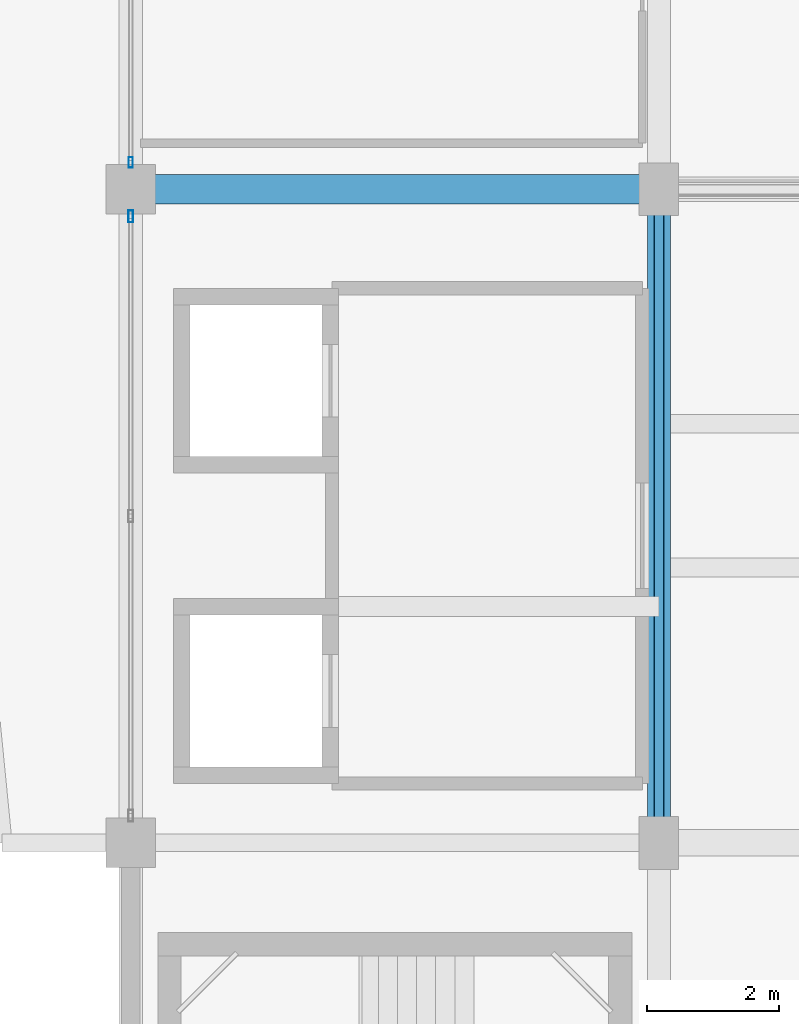
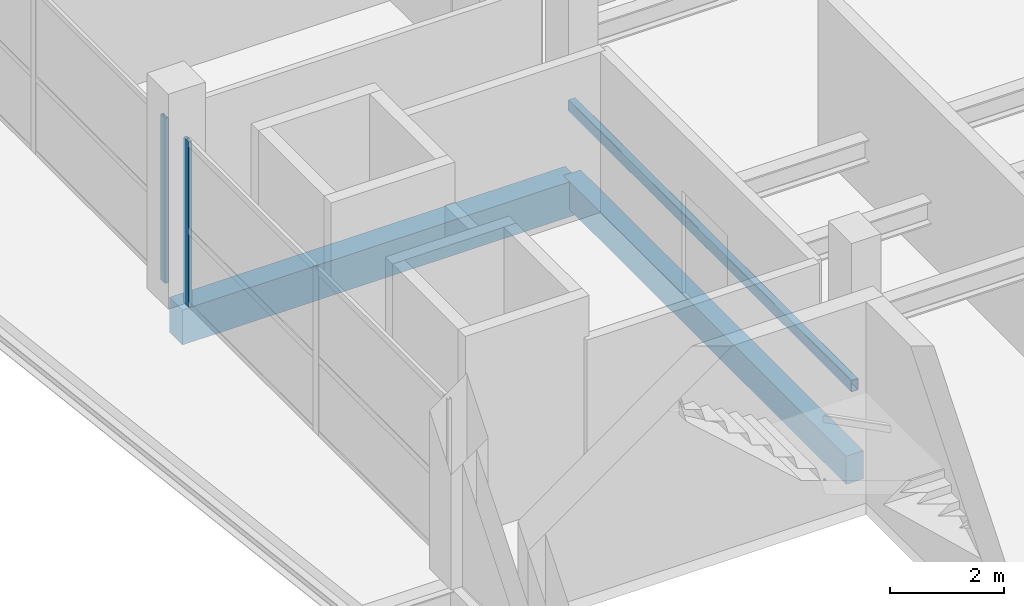
# One storey, part 10 of 55: 3 beams, 2 members, 2 elements without a shape of their own.
"""IFC4 building model written with IfcOpenShell, lengths in metres."""

import ifcopenshell
import ifcopenshell.guid

model = None  # the IFC model being written
_history = None  # IfcOwnerHistory: only IFC2X3 demands one
_inside = {}  # id of a spatial element -> (the spatial element, [elements in it])
_under = {}  # id of a project, library or spatial element -> (it, [spatial elements below it])
_declared = {}  # id of a project -> (the project, [libraries it declares])
_typed = {}  # id of a type object -> (the type object, [elements of that type])
_made_of = {}  # id of a material, layer set ... -> (it, [elements and type objects made of it])


def new_model(schema):
    """Start an empty IFC model of exactly this schema.

    Asked for "IFC4X3", IfcOpenShell would pick the latest addendum, in which some entities
    have other attributes; the version numbers below select the first issue.
    IFC2X3 requires an IfcOwnerHistory on every rooted entity: one is made here for all.
    """
    global model, _history
    if schema == "IFC4X3":
        model = ifcopenshell.file(schema_version=(4, 3, 0, 0))
    else:
        model = ifcopenshell.file(schema=schema)
    _inside.clear()
    _under.clear()
    _declared.clear()
    _typed.clear()
    _made_of.clear()
    _history = None
    if model.schema == "IFC2X3":
        org = make("IfcOrganization", Name="unknown")
        user = make(
            "IfcPersonAndOrganization",
            ThePerson=make("IfcPerson", FamilyName="unknown"),
            TheOrganization=org,
        )
        app = make(
            "IfcApplication",
            ApplicationDeveloper=org,
            Version="unknown",
            ApplicationFullName="unknown",
            ApplicationIdentifier="unknown",
        )
        _history = make(
            "IfcOwnerHistory",
            OwningUser=user,
            OwningApplication=app,
            ChangeAction="ADDED",
            CreationDate=0,
        )
    return model


def make(cls, **values):
    """One entity of the class cls with the attributes given. An attribute that is None is left unset."""
    return model.create_entity(
        cls, **{name: value for name, value in values.items() if value is not None}
    )


def rooted(cls, **values):
    """An entity with a GlobalId (a new one), such as an element, a storey or a relation."""
    return make(cls, GlobalId=ifcopenshell.guid.new(), OwnerHistory=_history, **values)


def si_unit(unit_type, name, prefix=None):
    """IfcSIUnit, for example si_unit("LENGTHUNIT", "METRE", prefix="MILLI")."""
    return make("IfcSIUnit", UnitType=unit_type, Prefix=prefix, Name=name)


def assignment(units):
    """IfcUnitAssignment: the units of a project."""
    return None if units is None else make("IfcUnitAssignment", Units=units)


def point(xyz):
    """IfcCartesianPoint."""
    return None if xyz is None else make("IfcCartesianPoint", Coordinates=xyz)


def direction(xyz):
    """IfcDirection."""
    return None if xyz is None else make("IfcDirection", DirectionRatios=xyz)


def frame(location, z_axis=None, x_axis=None):
    """IfcAxis2Placement3D, a coordinate frame: its origin and axes. An axis left out is left unset."""
    return make(
        "IfcAxis2Placement3D",
        Location=point(location),
        Axis=direction(z_axis),
        RefDirection=direction(x_axis),
    )


def frame_2d(location, x_axis=None):
    """IfcAxis2Placement2D, a coordinate frame in the plane: its origin and x axis."""
    return make(
        "IfcAxis2Placement2D", Location=point(location), RefDirection=direction(x_axis)
    )


def origin():
    """The frame at (0, 0, 0) with its axes left unset."""
    return frame((0.0, 0.0, 0.0))


def origin_2d():
    """The frame at (0, 0) in the plane with its x axis left unset."""
    return frame_2d((0.0, 0.0))


def place(relative_to, where):
    """IfcLocalPlacement: puts the frame where relative to a parent placement (None: the world)."""
    return make(
        "IfcLocalPlacement", PlacementRelTo=relative_to, RelativePlacement=where
    )


def context(
    kind, dimensions, precision=None, world=None, true_north=None, identifier=None
):
    """IfcGeometricRepresentationContext, for example the 3D "Model" context."""
    return make(
        "IfcGeometricRepresentationContext",
        ContextIdentifier=identifier,
        ContextType=kind,
        CoordinateSpaceDimension=dimensions,
        Precision=precision,
        WorldCoordinateSystem=world,
        TrueNorth=true_north,
    )


def subcontext(parent, identifier, kind, view, scale=None):
    """IfcGeometricRepresentationSubContext, for example "Body" below "Model"."""
    return make(
        "IfcGeometricRepresentationSubContext",
        ContextIdentifier=identifier,
        ContextType=kind,
        ParentContext=parent,
        TargetScale=scale,
        TargetView=view,
    )


def project(units=None, contexts=None):
    """IfcProject with its units and contexts."""
    return rooted(
        "IfcProject",
        Name="project",
        RepresentationContexts=contexts,
        UnitsInContext=assignment(units),
    )


def spatial(cls, under=None, at=None, **own):
    """A site, building, storey or space (cls), placed at a placement, below another one or the project."""
    s = rooted(cls, ObjectPlacement=at, **own)
    if under is not None:
        _under.setdefault(under.id(), (under, []))[1].append(s)
    return s


def profile(cls, at=None, kind="AREA", **sizes):
    """A parametric profile (cls). Its sizes go by their IFC names, for example OverallWidth=200.0."""
    return make(cls, ProfileType=kind, Position=at, **sizes)


def rectangle(**sizes):
    """IfcRectangleProfileDef."""
    return profile("IfcRectangleProfileDef", **sizes)


def hollow_rectangle(**sizes):
    """IfcRectangleHollowProfileDef."""
    return profile("IfcRectangleHollowProfileDef", **sizes)


def extrude(swept, where, along, depth):
    """IfcExtrudedAreaSolid: the profile swept, set in the frame where, extruded along a direction by depth."""
    return make(
        "IfcExtrudedAreaSolid",
        SweptArea=swept,
        Position=where,
        ExtrudedDirection=direction(along),
        Depth=depth,
    )


def shape(context_of_items, identifier, shape_type, items):
    """IfcShapeRepresentation: the items that make up one representation, for example the "Body"."""
    return make(
        "IfcShapeRepresentation",
        ContextOfItems=context_of_items,
        RepresentationIdentifier=identifier,
        RepresentationType=shape_type,
        Items=items,
    )


def material(Name=None, Category=None):
    """IfcMaterial."""
    return make("IfcMaterial", Name=Name, Category=Category)


def layer(
    of_material, thickness, ventilated=None, Name=None, Category=None, Priority=None
):
    """IfcMaterialLayer: one layer of a wall or slab, of a material (None: an air gap)."""
    return make(
        "IfcMaterialLayer",
        Material=of_material,
        LayerThickness=thickness,
        IsVentilated=ventilated,
        Name=Name,
        Category=Category,
        Priority=Priority,
    )


def layer_set(layers, Name=None):
    """IfcMaterialLayerSet."""
    return make("IfcMaterialLayerSet", MaterialLayers=layers, LayerSetName=Name)


def material_profile(
    of_material, cross_section, Name=None, Category=None, Priority=None
):
    """IfcMaterialProfile: a cross section and its material."""
    return make(
        "IfcMaterialProfile",
        Name=Name,
        Material=of_material,
        Profile=cross_section,
        Priority=Priority,
        Category=Category,
    )


def profile_set(profiles, Name=None, composite=None):
    """IfcMaterialProfileSet."""
    return make(
        "IfcMaterialProfileSet",
        Name=Name,
        MaterialProfiles=profiles,
        CompositeProfile=composite,
    )


def made_of(thing, what):
    """Note that an element or type object is made of a material, layer set ...; save() writes the relation."""
    if what is not None:
        _made_of.setdefault(what.id(), (what, []))[1].append(thing)
    return thing


def type_object(cls, material=None, **own):
    """A type object (cls), such as IfcWallType, which elements share."""
    return made_of(rooted(cls, **own), material)


def element(
    cls,
    number,
    at=None,
    inside=None,
    cuts=None,
    type_object=None,
    material=None,
    context=None,
    identifier="Body",
    shape_type=None,
    held_by="IfcProductDefinitionShape",
    body=None,
    shapes=None,
    **own,
):
    """One element of the class cls, such as IfcWall. Its Tag is "e" and its number.

    at: its placement. inside: the storey or other place that contains it. cuts: it is an
    opening in that element (IfcRelVoidsElement). A single representation is given by context,
    identifier, shape_type and body (its items); several are given by shapes. held_by: the class
    of the entity that holds the representations. save() writes the other relations.
    """
    e = rooted(cls, Tag="e%d" % number, ObjectPlacement=at, **own)
    if body is not None:
        shapes = [shape(context, identifier, shape_type, body)]
    if shapes is not None:
        e.Representation = make(held_by, Representations=shapes)
    if inside is not None:
        _inside.setdefault(inside.id(), (inside, []))[1].append(e)
    if cuts is not None:
        rooted(
            "IfcRelVoidsElement", RelatingBuildingElement=cuts, RelatedOpeningElement=e
        )
    if type_object is not None:
        _typed.setdefault(type_object.id(), (type_object, []))[1].append(e)
    return made_of(e, material)


def aggregate(whole, parts):
    """IfcRelAggregates: a whole, such as a stair, and the parts it consists of."""
    return rooted("IfcRelAggregates", RelatingObject=whole, RelatedObjects=parts)


def save(model, path):
    """Write the relations noted so far, then the file.

    IfcRelAggregates (storeys below a building ...), IfcRelContainedInSpatialStructure (elements
    in a storey), IfcRelDefinesByType, IfcRelAssociatesMaterial and IfcRelDeclares: one each for
    every whole, place, type object, material and project.
    """
    for whole, parts in _under.values():
        aggregate(whole, parts)
    for where, things in _inside.values():
        rooted(
            "IfcRelContainedInSpatialStructure",
            RelatedElements=things,
            RelatingStructure=where,
        )
    for kind, things in _typed.values():
        rooted("IfcRelDefinesByType", RelatedObjects=things, RelatingType=kind)
    for what, things in _made_of.values():
        rooted("IfcRelAssociatesMaterial", RelatedObjects=things, RelatingMaterial=what)
    for by, libraries in _declared.values():
        rooted("IfcRelDeclares", RelatingContext=by, RelatedDefinitions=libraries)
    model.write(path)


model = new_model("IFC4")

# Units and contexts
model_context = context("Model", 3, precision=1e-05, world=origin(), true_north=direction((0.0, 1.0)))
body_context = subcontext(model_context, "Body", "Model", "MODEL_VIEW")
ifc_project = project(units=[si_unit("LENGTHUNIT", "METRE"), si_unit("AREAUNIT", "SQUARE_METRE"), si_unit("VOLUMEUNIT", "CUBIC_METRE"), si_unit("PLANEANGLEUNIT", "RADIAN"), si_unit("MASSUNIT", "GRAM", prefix="KILO")], contexts=[model_context])

# Site, building, storey
site_placement = place(None, origin())
site = spatial("IfcSite", under=ifc_project, at=site_placement, CompositionType="ELEMENT")
building_placement = place(site_placement, origin())
building = spatial("IfcBuilding", under=site, at=building_placement, Name="Sillaruma Civic Art Gallery", CompositionType="ELEMENT")
storey_placement = place(building_placement, frame((0.0, 0.0, 37.739990234375)))
storey = spatial("IfcBuildingStorey", under=building, at=storey_placement, Name="L07", CompositionType="ELEMENT", Elevation=37.739990234375)

# Beams
ifc_material_1 = material(Name="Concrete H35 (35 MPa)", Category="concrete")
ifc_material_profile_1 = material_profile(ifc_material_1, rectangle(XDim=0.35009765625, YDim=0.60009765625, at=origin_2d()), Name="RCB350x600")
ifc_profile_set_1 = profile_set([ifc_material_profile_1], Name="Concrete H35 (35 MPa)")
beam_type_1 = type_object("IfcBeamType", Name="BM-BEAM-RCB350x600", PredefinedType="BEAM", material=ifc_profile_set_1)
beam_1_placement = place(storey_placement, frame((70.0, 39.60009765625, -0.5400390625), z_axis=(0.0, 1.0, 0.0), x_axis=(-1.0, 0.0, 0.0)))
element("IfcBeam", 1, at=beam_1_placement, inside=storey, type_object=beam_type_1, Name="Beam BM-06 (L06:G:5-6)", PredefinedType="BEAM", context=body_context, shape_type="SweptSolid", body=[
    extrude(rectangle(XDim=0.35009765625, YDim=0.60009765625, at=origin_2d()), origin(), (0.0, 0.0, 1.0), 9.89990234375),
])
ifc_material_2 = material(Name="Concrete H40 (40 MPa)", Category="concrete")
ifc_material_profile_2 = material_profile(ifc_material_2, rectangle(XDim=0.449951171875, YDim=0.75, at=origin_2d()), Name="RCB450x750")
ifc_profile_set_2 = profile_set([ifc_material_profile_2], Name="Concrete H40 (40 MPa)")
beam_type_2 = type_object("IfcBeamType", Name="BM-BEAM-RCB450x750", PredefinedType="BEAM", material=ifc_profile_set_2)
beam_2_placement = place(storey_placement, frame((62.0, 49.5, -0.614990234375), z_axis=(1.0, 0.0, 0.0), x_axis=(0.0, 1.0, 0.0)))
element("IfcBeam", 2, at=beam_2_placement, inside=storey, type_object=beam_type_2, Name="Beam BM-03 (L06:6:F-G)", PredefinedType="BEAM", context=body_context, shape_type="SweptSolid", body=[
    extrude(rectangle(XDim=0.449951171875, YDim=0.75, at=origin_2d()), origin(), (0.0, 0.0, 1.0), 8.0),
])
ifc_material_3 = material(Name="Structural Steel ASTM A500 Gr.C", Category="steel")
ifc_material_profile_3 = material_profile(ifc_material_3, hollow_rectangle(XDim=0.14990234375, YDim=0.25, WallThickness=0.010009765625, InnerFilletRadius=0.010009765625, OuterFilletRadius=0.02001953125, at=origin_2d()), Name="HSS250x150x10")
ifc_profile_set_3 = profile_set([ifc_material_profile_3], Name="Structural Steel ASTM A500 Gr.C")
beam_type_3 = type_object("IfcBeamType", Name="BM-LND-HSS200", PredefinedType="BEAM", material=ifc_profile_set_3)
beam_3_placement = place(storey_placement, frame((70.0, 39.60009765625, 1.219970703125), z_axis=(0.0, 1.0, 0.0), x_axis=(-1.0, 0.0, 0.0)))
element("IfcBeam", 3, at=beam_3_placement, inside=storey, type_object=beam_type_3, Name="Feature Stair L1 Rail (ST-G04-W)", PredefinedType="BEAM", context=body_context, shape_type="SweptSolid", body=[
    extrude(hollow_rectangle(XDim=0.14990234375, YDim=0.25, WallThickness=0.010009765625, InnerFilletRadius=0.010009765625, OuterFilletRadius=0.02001953125, at=origin_2d()), origin(), (0.0, 0.0, 1.0), 9.89990234375),
])

# Curtain wall, member
ifc_material_4 = material(Name="Thermally Broken Extruded Aluminium 6063-T6", Category="aluminium")
ifc_layer_1 = layer(ifc_material_4, 0.159912109375, Name="Thermally Broken Extruded Aluminium 6063-T6")
ifc_layer_set_1 = layer_set([ifc_layer_1], Name="Thermally Broken Extruded Aluminium 6063-T6")
curtain_wall_type_1 = type_object("IfcCurtainWallType", Name="CW-UNI-46", PredefinedType="NOTDEFINED", material=ifc_layer_set_1)
curtain_wall_1_placement = place(storey_placement, origin())
curtain_wall_1 = element("IfcCurtainWall", 4, at=curtain_wall_1_placement, inside=storey, type_object=curtain_wall_type_1, Name="Unitised Curtain Wall CW-46 (CW-L07-W-4)", PredefinedType="NOTDEFINED")
ifc_material_profile_4 = material_profile(ifc_material_4, hollow_rectangle(XDim=0.06494140625, YDim=0.159912109375, WallThickness=0.00390625, at=origin_2d()), Name="CWM65x160")
ifc_profile_set_4 = profile_set([ifc_material_profile_4], Name="Thermally Broken Extruded Aluminium 6063-T6")
member_type_1 = type_object("IfcMemberType", Name="MEM-MUL-CWM65x160", PredefinedType="MULLION", material=ifc_profile_set_4)
member_1_placement = place(storey_placement, frame((62.0, 49.907470703125, 0.0), z_axis=(0.0, 0.0, 1.0), x_axis=(-1.0, 0.0, 0.0)))
member_1 = element("IfcMember", 5, at=member_1_placement, type_object=member_type_1, Name="CW-46 mullion 1", PredefinedType="MULLION", context=body_context, shape_type="SweptSolid", body=[
    extrude(hollow_rectangle(XDim=0.06494140625, YDim=0.159912109375, WallThickness=0.00390625, at=origin_2d()), origin(), (0.0, 0.0, 1.0), 3.530029296875),
])
aggregate(curtain_wall_1, [member_1])

ifc_layer_2 = layer(ifc_material_4, 0.179931640625, Name="Thermally Broken Extruded Aluminium 6063-T6")
ifc_layer_set_2 = layer_set([ifc_layer_2], Name="Thermally Broken Extruded Aluminium 6063-T6")
curtain_wall_type_2 = type_object("IfcCurtainWallType", Name="CW-UNI-44", PredefinedType="NOTDEFINED", material=ifc_layer_set_2)
curtain_wall_2_placement = place(storey_placement, origin())
curtain_wall_2 = element("IfcCurtainWall", 6, at=curtain_wall_2_placement, inside=storey, type_object=curtain_wall_type_2, Name="Unitised Curtain Wall CW-44 (CW-L07-W-3)", PredefinedType="NOTDEFINED")
ifc_material_profile_5 = material_profile(ifc_material_4, hollow_rectangle(XDim=0.070068359375, YDim=0.179931640625, WallThickness=0.00390625, at=origin_2d()), Name="CWM70x180")
ifc_profile_set_5 = profile_set([ifc_material_profile_5], Name="Thermally Broken Extruded Aluminium 6063-T6")
member_type_2 = type_object("IfcMemberType", Name="MEM-MUL-CWM70x180", PredefinedType="MULLION", material=ifc_profile_set_5)
member_2_placement = place(storey_placement, frame((62.0, 49.090087890625, 0.0), z_axis=(0.0, 0.0, 1.0), x_axis=(-1.0, 0.0, 0.0)))
member_2 = element("IfcMember", 7, at=member_2_placement, type_object=member_type_2, Name="CW-44 mullion 3", PredefinedType="MULLION", context=body_context, shape_type="SweptSolid", body=[
    extrude(hollow_rectangle(XDim=0.070068359375, YDim=0.179931640625, WallThickness=0.00390625, at=origin_2d()), origin(), (0.0, 0.0, 1.0), 3.530029296875),
])
aggregate(curtain_wall_2, [member_2])

save(model, "model.ifc")
